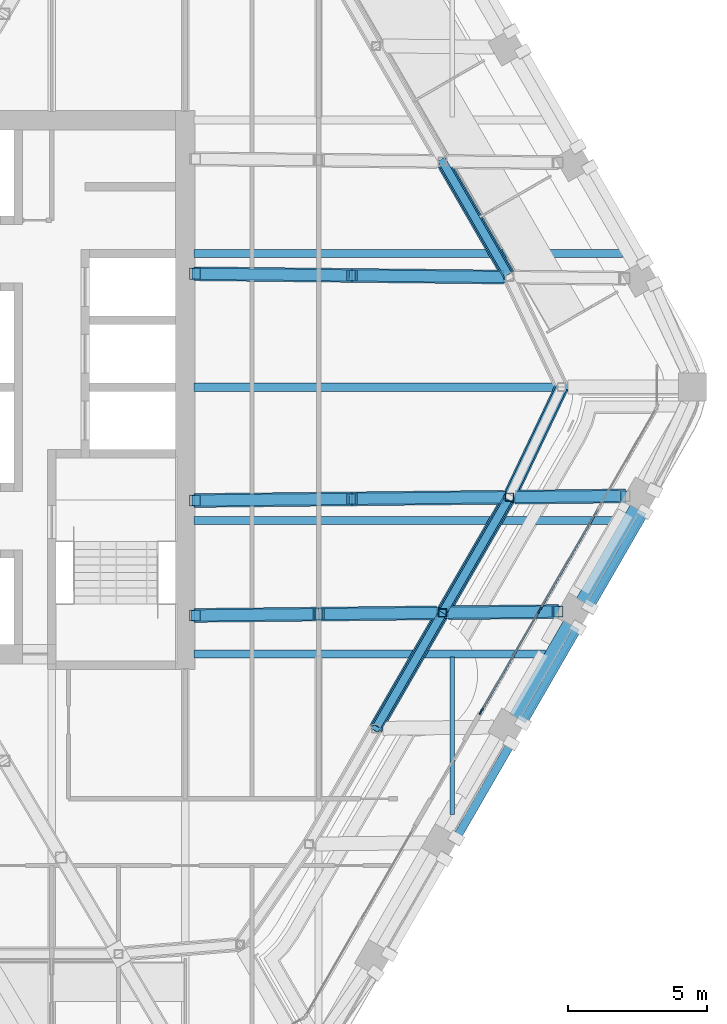
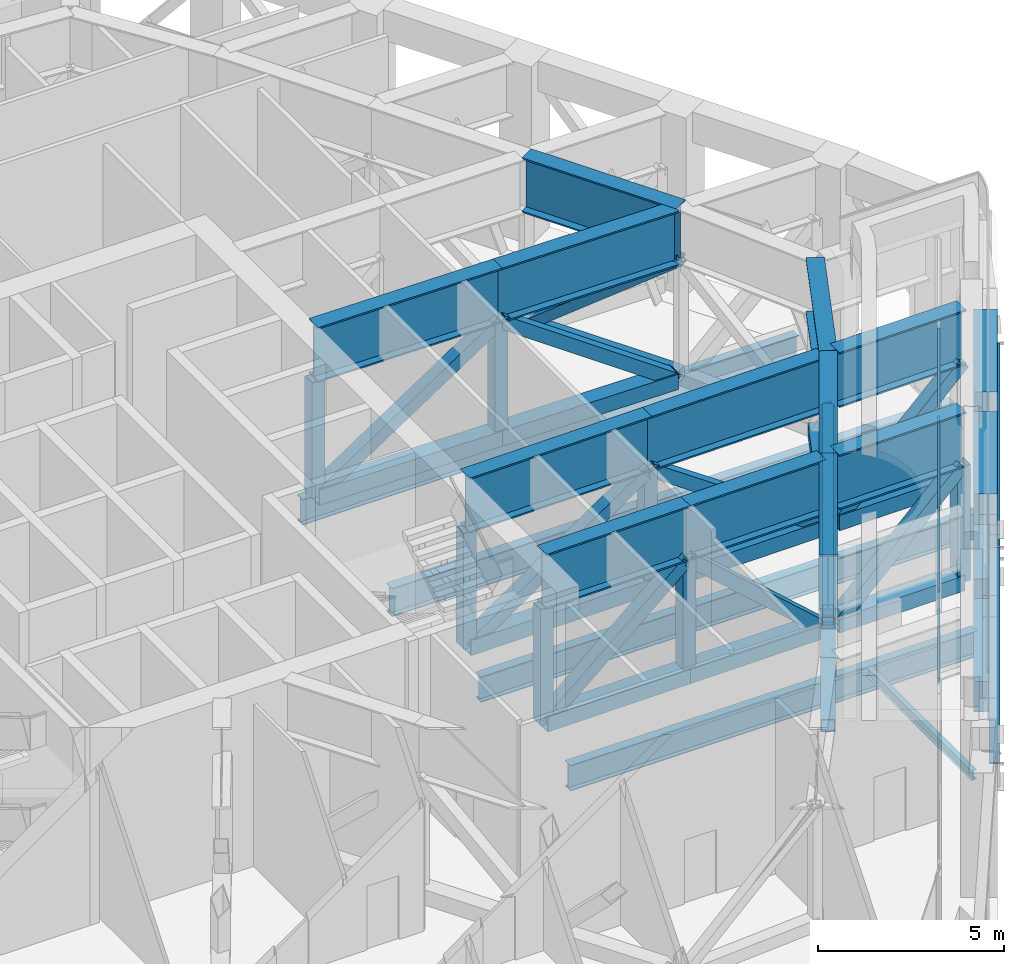
# One storey, part 6 of 24: 41 members, 21 beams, 1 element without a shape of its own.
"""IFC4 building model written with IfcOpenShell, lengths in metres."""

from ifc_helpers import new_model, si_unit, direction, frame, origin, origin_2d, place, context, subcontext, project, spatial, rectangle, hollow_rectangle, i_section, extrude, material, material_profile, profile_set, type_object, element, aggregate, save


model = new_model("IFC4")

# Units and contexts
model_context = context("Model", 3, precision=1e-05, world=origin(), true_north=direction((0.0, 1.0)))
body_context = subcontext(model_context, "Body", "Model", "MODEL_VIEW")
ifc_project = project(units=[si_unit("LENGTHUNIT", "METRE"), si_unit("AREAUNIT", "SQUARE_METRE"), si_unit("VOLUMEUNIT", "CUBIC_METRE"), si_unit("PLANEANGLEUNIT", "RADIAN"), si_unit("MASSUNIT", "GRAM", prefix="KILO")], contexts=[model_context])

# Site, building, storey
site_placement = place(None, origin())
site = spatial("IfcSite", under=ifc_project, at=site_placement, CompositionType="ELEMENT")
building_placement = place(site_placement, origin())
building = spatial("IfcBuilding", under=site, at=building_placement, Name="Kolab Exchange Tower", CompositionType="ELEMENT")
storey_placement = place(building_placement, frame((0.0, 0.0, 216.800048828125)))
storey = spatial("IfcBuildingStorey", under=building, at=storey_placement, Name="L47", CompositionType="ELEMENT", Elevation=216.800048828125)

# Members
ifc_material_1 = material(Name="Steel S355", Category="steel")
ifc_material_profile_1 = material_profile(ifc_material_1, hollow_rectangle(XDim=0.300048828125, YDim=0.300048828125, WallThickness=0.01611328125, at=origin_2d()), Name="HSS300X300X16")
ifc_profile_set_1 = profile_set([ifc_material_profile_1], Name="Steel S355")
member_type_1 = type_object("IfcMemberType", Name="BELT TRUSS BRACE HSS300X300X16", PredefinedType="BRACE", material=ifc_profile_set_1)
for number, where, z_axis, x_axis, name in (
    (1, (18.853515625, 8.11376953125, 0.25), (0.392038591319, -0.678999195849, 0.620697861244), (0.866015339567, 0.500017431331, 0.0), "mem/L47/ring/d-F2-04"),
    (2, (21.253662109375, -3.956787109375, 4.050048828125), (-0.392038591319, -0.678999195849, -0.620697861244), (0.866015339567, -0.500017431331, 0.0), "mem/L47/ring/d-F3-02"),
):
    element("IfcMember", number, at=place(storey_placement, frame(where, z_axis=z_axis, x_axis=x_axis)), inside=storey, type_object=member_type_1, Name=name, PredefinedType="BRACE", context=body_context, shape_type="SweptSolid", body=[
        extrude(hollow_rectangle(XDim=0.300048828125, YDim=0.300048828125, WallThickness=0.01611328125, at=origin_2d()), origin(), (0.0, 0.0, 1.0), 6.122314453125),
    ])
member_1_placement = place(storey_placement, frame((18.853515625, -8.11376953125, 0.25), z_axis=(-0.392004841722, -0.679009810783, 0.620707564741), x_axis=(0.866037363387, -0.499979284789, 0.0)))
element("IfcMember", 3, at=member_1_placement, inside=storey, type_object=member_type_1, Name="mem/L47/ring/d-F3-03", PredefinedType="BRACE", context=body_context, shape_type="SweptSolid", body=[
    extrude(hollow_rectangle(XDim=0.300048828125, YDim=0.300048828125, WallThickness=0.01611328125, at=origin_2d()), origin(), (0.0, 0.0, 1.0), 6.1220703125),
])
for number, where, z_axis, x_axis, name in (
    (4, (26.1171875, -4.49365234375, 4.699951171875), (-0.337470471595, -0.584582973076, -0.737818696152), (0.866050206543, -0.499957037901, 0.0), "mem/L47/fb/F3-02"),
    (5, (23.71728515625, -8.650634765625, 0.39990234375), (-0.337507590619, -0.584574708587, 0.737808265306), (0.866023334807, -0.500003583557, 0.0), "mem/L47/fb/F3-03"),
    (6, (21.3173828125, -12.8076171875, 4.699951171875), (-0.337507590619, -0.584574708587, -0.737808265306), (0.866023334807, -0.500003583557, 0.0), "mem/L47/fb/F3-04"),
):
    element("IfcMember", number, at=place(storey_placement, frame(where, z_axis=z_axis, x_axis=x_axis)), inside=storey, type_object=member_type_1, Name=name, PredefinedType="BRACE", context=body_context, shape_type="SweptSolid", body=[
        extrude(hollow_rectangle(XDim=0.300048828125, YDim=0.300048828125, WallThickness=0.01611328125, at=origin_2d()), origin(), (0.0, 0.0, 1.0), 5.828125),
    ])
ifc_material_profile_2 = material_profile(ifc_material_1, hollow_rectangle(XDim=0.39990234375, YDim=0.39990234375, WallThickness=0.02001953125, at=origin_2d()), Name="HSS400X400X20")
ifc_profile_set_2 = profile_set([ifc_material_profile_2], Name="Steel S355")
member_type_2 = type_object("IfcMemberType", Name="BELT TRUSS CHORD HSS400X400X20", PredefinedType="CHORD", material=ifc_profile_set_2)
member_2_placement = place(storey_placement, frame((18.853515625, 8.11376953125, 0.25), z_axis=(0.500017431331, -0.866015339567, 0.0), x_axis=(0.866015339567, 0.500017431331, 0.0)))
element("IfcMember", 7, at=member_2_placement, inside=storey, type_object=member_type_2, Name="mem/L47/ring/c-F2-04", PredefinedType="CHORD", context=body_context, shape_type="SweptSolid", body=[
    extrude(hollow_rectangle(XDim=0.39990234375, YDim=0.39990234375, WallThickness=0.02001953125, at=origin_2d()), origin(), (0.0, 0.0, 1.0), 4.800048828125),
])
member_3_placement = place(storey_placement, frame((23.135986328125, 0.0, 0.25), z_axis=(-0.429587498482, -0.903025238378, 0.0), x_axis=(0.903025238378, -0.429587498482, 0.0)))
element("IfcMember", 8, at=member_3_placement, inside=storey, type_object=member_type_2, Name="mem/L47/ring/c-F3-01", PredefinedType="CHORD", context=body_context, shape_type="SweptSolid", body=[
    extrude(hollow_rectangle(XDim=0.39990234375, YDim=0.39990234375, WallThickness=0.02001953125, at=origin_2d()), origin(), (0.0, 0.0, 1.0), 4.381591796875),
])
for number, where, z_axis, x_axis, name in (
    (9, (21.253662109375, -3.956787109375, 0.25), (-0.500017431331, -0.866015339567, 0.0), (0.866015339567, -0.500017431331, 0.0), "mem/L47/ring/c-F3-02"),
    (10, (18.853515625, -8.11376953125, 0.25), (-0.499979284789, -0.866037363387, 0.0), (0.866037363387, -0.499979284789, 0.0), "mem/L47/ring/c-F3-03"),
):
    element("IfcMember", number, at=place(storey_placement, frame(where, z_axis=z_axis, x_axis=x_axis)), inside=storey, type_object=member_type_2, Name=name, PredefinedType="CHORD", context=body_context, shape_type="SweptSolid", body=[
        extrude(hollow_rectangle(XDim=0.39990234375, YDim=0.39990234375, WallThickness=0.02001953125, at=origin_2d()), origin(), (0.0, 0.0, 1.0), 4.800048828125),
    ])

# Beams
ifc_material_profile_3 = material_profile(ifc_material_1, i_section(OverallWidth=0.5, OverallDepth=1.800048828125, WebThickness=0.031982421875, FlangeThickness=0.050048828125, at=origin_2d()), Name="PG1800X500")
ifc_profile_set_3 = profile_set([ifc_material_profile_3], Name="Steel S355")
beam_type_1 = type_object("IfcBeamType", Name="BELT TRUSS GIRDER PG1800X500", PredefinedType="BEAM", material=ifc_profile_set_3)
beam_1_placement = place(storey_placement, frame((18.853515625, 8.11376953125, 4.949951171875), z_axis=(0.500017431331, -0.866015339567, 0.0), x_axis=(0.866015339567, 0.500017431331, 0.0)))
element("IfcBeam", 11, at=beam_1_placement, inside=storey, type_object=beam_type_1, Name="beam/L47/bg/F2-run2", PredefinedType="BEAM", context=body_context, shape_type="SweptSolid", body=[
    extrude(i_section(OverallWidth=0.5, OverallDepth=1.800048828125, WebThickness=0.031982421875, FlangeThickness=0.050048828125, at=origin_2d()), origin(), (0.0, 0.0, 1.0), 4.800048828125),
])
beam_2_placement = place(storey_placement, frame((23.135986328125, 0.0, 4.949951171875), z_axis=(-0.429587498482, -0.903025238378, 0.0), x_axis=(0.903025238378, -0.429587498482, 0.0)))
element("IfcBeam", 12, at=beam_2_placement, inside=storey, type_object=beam_type_1, Name="beam/L47/bg/F3-in", PredefinedType="BEAM", context=body_context, shape_type="SweptSolid", body=[
    extrude(i_section(OverallWidth=0.5, OverallDepth=1.800048828125, WebThickness=0.031982421875, FlangeThickness=0.050048828125, at=origin_2d()), origin(), (0.0, 0.0, 1.0), 4.381591796875),
])
for number, where, z_axis, x_axis, name in (
    (13, (21.253662109375, -3.956787109375, 4.949951171875), (-0.500017431331, -0.866015339567, 0.0), (0.866015339567, -0.500017431331, 0.0), "beam/L47/bg/F3-run0"),
    (14, (18.853515625, -8.11376953125, 4.949951171875), (-0.499979284789, -0.866037363387, 0.0), (0.866037363387, -0.499979284789, 0.0), "beam/L47/bg/F3-run1"),
):
    element("IfcBeam", number, at=place(storey_placement, frame(where, z_axis=z_axis, x_axis=x_axis)), inside=storey, type_object=beam_type_1, Name=name, PredefinedType="BEAM", context=body_context, shape_type="SweptSolid", body=[
        extrude(i_section(OverallWidth=0.5, OverallDepth=1.800048828125, WebThickness=0.031982421875, FlangeThickness=0.050048828125, at=origin_2d()), origin(), (0.0, 0.0, 1.0), 4.800048828125),
    ])

# Members
ifc_material_profile_4 = material_profile(ifc_material_1, hollow_rectangle(XDim=0.300048828125, YDim=0.300048828125, WallThickness=0.01611328125, at=origin_2d()), Name="HSS300X300X16")
ifc_profile_set_4 = profile_set([ifc_material_profile_4], Name="Steel S355")
member_type_3 = type_object("IfcMemberType", Name="BELT TRUSS POST HSS300X300X16", PredefinedType="POST", material=ifc_profile_set_4)
for number, where, z_axis, x_axis, name in (
    (15, (21.253662109375, -3.956787109375, 0.25), (0.0, 0.0, 1.0), (1.0, 0.0, 0.0), "mem/L47/ring/p-F3-02"),
    (16, (18.853515625, -8.11376953125, 0.25), (0.0, 0.0, 1.0), (1.0, 0.0, 0.0), "mem/L47/ring/p-F3-03"),
):
    element("IfcMember", number, at=place(storey_placement, frame(where, z_axis=z_axis, x_axis=x_axis)), inside=storey, type_object=member_type_3, Name=name, PredefinedType="POST", context=body_context, shape_type="SweptSolid", body=[
        extrude(hollow_rectangle(XDim=0.300048828125, YDim=0.300048828125, WallThickness=0.01611328125, at=origin_2d()), origin(), (0.0, 0.0, 1.0), 3.800048828125),
    ])

# Beams
ifc_material_profile_5 = material_profile(ifc_material_1, i_section(OverallWidth=0.1650390625, OverallDepth=0.31005859375, WebThickness=0.005859375, FlangeThickness=0.009765625, at=origin_2d()), Name="W310X39")
ifc_profile_set_5 = profile_set([ifc_material_profile_5], Name="Steel S355")
beam_type_2 = type_object("IfcBeamType", Name="FLOOR BEAM W310X39", PredefinedType="BEAM", material=ifc_profile_set_5)
beam_3_placement = place(storey_placement, frame((19.199951171875, -15.36767578125, -0.455078125), z_axis=(0.0, 1.0, 0.0), x_axis=(-1.0, 0.0, 0.0)))
element("IfcBeam", 17, at=beam_3_placement, inside=storey, type_object=beam_type_2, Name="beam/L47/fr/022", PredefinedType="BEAM", context=body_context, shape_type="SweptSolid", body=[
    extrude(i_section(OverallWidth=0.1650390625, OverallDepth=0.31005859375, WebThickness=0.005859375, FlangeThickness=0.009765625, at=origin_2d()), origin(), (0.0, 0.0, 1.0), 5.66162109375),
])
ifc_material_profile_6 = material_profile(ifc_material_1, i_section(OverallWidth=0.2919921875, OverallDepth=0.840087890625, WebThickness=0.0146484375, FlangeThickness=0.021728515625, at=origin_2d()), Name="W840X193")
ifc_profile_set_6 = profile_set([ifc_material_profile_6], Name="Steel S355")
beam_type_3 = type_object("IfcBeamType", Name="FLOOR BEAM W840X193", PredefinedType="BEAM", material=ifc_profile_set_6)
for number, where, z_axis, x_axis, name in (
    (18, (9.909912109375, -4.800048828125, -0.719970703125), (1.0, 0.0, 0.0), (0.0, 1.0, 0.0), "beam/L47/fr/017"),
    (19, (9.909912109375, 4.800048828125, -0.719970703125), (1.0, 0.0, 0.0), (0.0, 1.0, 0.0), "beam/L47/fr/019"),
):
    element("IfcBeam", number, at=place(storey_placement, frame(where, z_axis=z_axis, x_axis=x_axis)), inside=storey, type_object=beam_type_3, Name=name, PredefinedType="BEAM", context=body_context, shape_type="SweptSolid", body=[
        extrude(i_section(OverallWidth=0.2919921875, OverallDepth=0.840087890625, WebThickness=0.0146484375, FlangeThickness=0.021728515625, at=origin_2d()), origin(), (0.0, 0.0, 1.0), 15.408203125),
    ])
ifc_material_profile_7 = material_profile(ifc_material_1, i_section(OverallWidth=0.30908203125, OverallDepth=0.93310546875, WebThickness=0.01806640625, FlangeThickness=0.027587890625, at=origin_2d()), Name="W920X238")
ifc_profile_set_7 = profile_set([ifc_material_profile_7], Name="Steel S355")
beam_type_4 = type_object("IfcBeamType", Name="FLOOR BEAM W920X238", PredefinedType="BEAM", material=ifc_profile_set_7)
beam_4_placement = place(storey_placement, frame((9.909912109375, 0.0, -0.7666015625), z_axis=(1.0, 0.0, 0.0), x_axis=(0.0, 1.0, 0.0)))
element("IfcBeam", 20, at=beam_4_placement, inside=storey, type_object=beam_type_4, Name="beam/L47/fr/018", PredefinedType="BEAM", context=body_context, shape_type="SweptSolid", body=[
    extrude(i_section(OverallWidth=0.30908203125, OverallDepth=0.93310546875, WebThickness=0.01806640625, FlangeThickness=0.027587890625, at=origin_2d()), origin(), (0.0, 0.0, 1.0), 17.466064453125),
])
ifc_material_profile_8 = material_profile(ifc_material_1, i_section(OverallWidth=0.2919921875, OverallDepth=0.840087890625, WebThickness=0.0146484375, FlangeThickness=0.021728515625, at=origin_2d()), Name="W840X193")
ifc_profile_set_8 = profile_set([ifc_material_profile_8], Name="Steel S355")
beam_type_5 = type_object("IfcBeamType", Name="FLOOR GIRDER W840X193", PredefinedType="BEAM", material=ifc_profile_set_8)
beam_5_placement = place(storey_placement, frame((9.909912109375, -9.60009765625, -0.719970703125), z_axis=(1.0, 0.0, 0.0), x_axis=(0.0, 1.0, 0.0)))
element("IfcBeam", 21, at=beam_5_placement, inside=storey, type_object=beam_type_5, Name="beam/L47/gd/002", PredefinedType="BEAM", context=body_context, shape_type="SweptSolid", body=[
    extrude(i_section(OverallWidth=0.2919921875, OverallDepth=0.840087890625, WebThickness=0.0146484375, FlangeThickness=0.021728515625, at=origin_2d()), origin(), (0.0, 0.0, 1.0), 12.636962890625),
])

# Members
ifc_material_profile_9 = material_profile(ifc_material_1, hollow_rectangle(XDim=0.39990234375, YDim=0.39990234375, WallThickness=0.02001953125, at=origin_2d()), Name="HSS400X400X20")
ifc_profile_set_9 = profile_set([ifc_material_profile_9], Name="Steel S355")
member_type_4 = type_object("IfcMemberType", Name="OUTRIGGER BRACE HSS400X400X20", PredefinedType="BRACE", material=ifc_profile_set_9)
member_4_placement = place(storey_placement, frame((9.949951171875, 4.076904296875, 0.25), z_axis=(0.829833198629, -0.008818097921, 0.557941846076), x_axis=(0.010625749983, 0.999943545125, 0.0)))
element("IfcMember", 22, at=member_4_placement, inside=storey, type_object=member_type_4, Name="mem/L47/out/03/d00", PredefinedType="BRACE", context=body_context, shape_type="SweptSolid", body=[
    extrude(hollow_rectangle(XDim=0.39990234375, YDim=0.39990234375, WallThickness=0.02001953125, at=origin_2d()), origin(), (0.0, 0.0, 1.0), 6.810791015625),
])
member_5_placement = place(storey_placement, frame((15.601806640625, 4.016845703125, 4.050048828125), z_axis=(0.819856890389, -0.008717186318, -0.572502130951), x_axis=(0.010631969696, 0.999943479013, 0.0)))
element("IfcMember", 23, at=member_5_placement, inside=storey, type_object=member_type_4, Name="mem/L47/out/03/d01", PredefinedType="BRACE", context=body_context, shape_type="SweptSolid", body=[
    extrude(hollow_rectangle(XDim=0.39990234375, YDim=0.39990234375, WallThickness=0.02001953125, at=origin_2d()), origin(), (0.0, 0.0, 1.0), 6.6376953125),
])
member_6_placement = place(storey_placement, frame((9.949951171875, -4.076904296875, 0.25), z_axis=(0.829833198629, 0.008818097921, 0.557941846076), x_axis=(-0.010625749983, 0.999943545125, 0.0)))
element("IfcMember", 24, at=member_6_placement, inside=storey, type_object=member_type_4, Name="mem/L47/out/04/d00", PredefinedType="BRACE", context=body_context, shape_type="SweptSolid", body=[
    extrude(hollow_rectangle(XDim=0.39990234375, YDim=0.39990234375, WallThickness=0.02001953125, at=origin_2d()), origin(), (0.0, 0.0, 1.0), 6.810791015625),
])
member_7_placement = place(storey_placement, frame((15.601806640625, -4.016845703125, 4.050048828125), z_axis=(0.819856890389, 0.008717186318, -0.572502130951), x_axis=(-0.010631969696, 0.999943479013, 0.0)))
element("IfcMember", 25, at=member_7_placement, inside=storey, type_object=member_type_4, Name="mem/L47/out/04/d01", PredefinedType="BRACE", context=body_context, shape_type="SweptSolid", body=[
    extrude(hollow_rectangle(XDim=0.39990234375, YDim=0.39990234375, WallThickness=0.02001953125, at=origin_2d()), origin(), (0.0, 0.0, 1.0), 6.6376953125),
])
member_8_placement = place(storey_placement, frame((21.463623046875, -3.95458984375, 0.25), z_axis=(0.718195745705, 0.007599481935, 0.695799625414), x_axis=(-0.010580759602, 0.999944022196, 0.0)))
element("IfcMember", 26, at=member_8_placement, inside=storey, type_object=member_type_4, Name="mem/L47/out/04/d02", PredefinedType="BRACE", context=body_context, shape_type="SweptSolid", body=[
    extrude(hollow_rectangle(XDim=0.39990234375, YDim=0.39990234375, WallThickness=0.02001953125, at=origin_2d()), origin(), (0.0, 0.0, 1.0), 5.46142578125),
])
member_9_placement = place(storey_placement, frame((9.949951171875, -8.208251953125, 0.25), z_axis=(0.760569999289, 0.008049904572, 0.64920603449), x_axis=(-0.010583448905, 0.999943993736, 0.0)))
element("IfcMember", 27, at=member_9_placement, inside=storey, type_object=member_type_4, Name="mem/L47/out/05/d00", PredefinedType="BRACE", context=body_context, shape_type="SweptSolid", body=[
    extrude(hollow_rectangle(XDim=0.39990234375, YDim=0.39990234375, WallThickness=0.02001953125, at=origin_2d()), origin(), (0.0, 0.0, 1.0), 5.853271484375),
])
member_10_placement = place(storey_placement, frame((14.40185546875, -8.1611328125, 4.050048828125), z_axis=(0.744795297784, 0.007887782594, -0.667246391736), x_axis=(-0.01058994372, 0.999943924974, 0.0)))
element("IfcMember", 28, at=member_10_placement, inside=storey, type_object=member_type_4, Name="mem/L47/out/05/d01", PredefinedType="BRACE", context=body_context, shape_type="SweptSolid", body=[
    extrude(hollow_rectangle(XDim=0.39990234375, YDim=0.39990234375, WallThickness=0.02001953125, at=origin_2d()), origin(), (0.0, 0.0, 1.0), 5.695068359375),
])
member_11_placement = place(storey_placement, frame((19.063720703125, -8.111572265625, 0.25), z_axis=(0.718195745705, 0.007599481935, 0.695799625414), x_axis=(-0.010580759602, 0.999944022196, 0.0)))
element("IfcMember", 29, at=member_11_placement, inside=storey, type_object=member_type_4, Name="mem/L47/out/05/d02", PredefinedType="BRACE", context=body_context, shape_type="SweptSolid", body=[
    extrude(hollow_rectangle(XDim=0.39990234375, YDim=0.39990234375, WallThickness=0.02001953125, at=origin_2d()), origin(), (0.0, 0.0, 1.0), 5.46142578125),
])
ifc_material_profile_10 = material_profile(ifc_material_1, hollow_rectangle(XDim=0.5, YDim=0.5, WallThickness=0.02490234375, at=origin_2d()), Name="HSS500X500X25")
ifc_profile_set_10 = profile_set([ifc_material_profile_10], Name="Steel S355")
member_type_5 = type_object("IfcMemberType", Name="OUTRIGGER CHORD HSS500X500X25", PredefinedType="CHORD", material=ifc_profile_set_10)
member_12_placement = place(storey_placement, frame((9.949951171875, 4.076904296875, 0.25), z_axis=(0.999943545125, -0.010625749983, 0.0), x_axis=(0.010625749983, 0.999943545125, 0.0)))
element("IfcMember", 30, at=member_12_placement, inside=storey, type_object=member_type_5, Name="mem/L47/out/03/c00", PredefinedType="CHORD", context=body_context, shape_type="SweptSolid", body=[
    extrude(hollow_rectangle(XDim=0.5, YDim=0.5, WallThickness=0.02490234375, at=origin_2d()), origin(), (0.0, 0.0, 1.0), 5.652099609375),
])
member_13_placement = place(storey_placement, frame((15.601806640625, 4.016845703125, 0.25), z_axis=(0.999943479013, -0.010631969696, 0.0), x_axis=(0.010631969696, 0.999943479013, 0.0)))
element("IfcMember", 31, at=member_13_placement, inside=storey, type_object=member_type_5, Name="mem/L47/out/03/c01", PredefinedType="CHORD", context=body_context, shape_type="SweptSolid", body=[
    extrude(hollow_rectangle(XDim=0.5, YDim=0.5, WallThickness=0.02490234375, at=origin_2d()), origin(), (0.0, 0.0, 1.0), 5.442138671875),
])
member_14_placement = place(storey_placement, frame((9.949951171875, -4.076904296875, 0.25), z_axis=(0.999943545125, 0.010625749983, 0.0), x_axis=(-0.010625749983, 0.999943545125, 0.0)))
element("IfcMember", 32, at=member_14_placement, inside=storey, type_object=member_type_5, Name="mem/L47/out/04/c00", PredefinedType="CHORD", context=body_context, shape_type="SweptSolid", body=[
    extrude(hollow_rectangle(XDim=0.5, YDim=0.5, WallThickness=0.02490234375, at=origin_2d()), origin(), (0.0, 0.0, 1.0), 5.652099609375),
])
member_15_placement = place(storey_placement, frame((15.601806640625, -4.016845703125, 0.25), z_axis=(0.999943479013, 0.010631969696, 0.0), x_axis=(-0.010631969696, 0.999943479013, 0.0)))
element("IfcMember", 33, at=member_15_placement, inside=storey, type_object=member_type_5, Name="mem/L47/out/04/c01", PredefinedType="CHORD", context=body_context, shape_type="SweptSolid", body=[
    extrude(hollow_rectangle(XDim=0.5, YDim=0.5, WallThickness=0.02490234375, at=origin_2d()), origin(), (0.0, 0.0, 1.0), 5.442138671875),
])
member_16_placement = place(storey_placement, frame((21.463623046875, -3.95458984375, 0.25), z_axis=(0.999944022196, 0.010580759602, 0.0), x_axis=(-0.010580759602, 0.999944022196, 0.0)))
element("IfcMember", 34, at=member_16_placement, inside=storey, type_object=member_type_5, Name="mem/L47/out/04/c02", PredefinedType="CHORD", context=body_context, shape_type="SweptSolid", body=[
    extrude(hollow_rectangle(XDim=0.5, YDim=0.5, WallThickness=0.02490234375, at=origin_2d()), origin(), (0.0, 0.0, 1.0), 3.922607421875),
])
member_17_placement = place(storey_placement, frame((9.949951171875, -8.208251953125, 0.25), z_axis=(0.999943993736, 0.010583448905, 0.0), x_axis=(-0.010583448905, 0.999943993736, 0.0)))
element("IfcMember", 35, at=member_17_placement, inside=storey, type_object=member_type_5, Name="mem/L47/out/05/c00", PredefinedType="CHORD", context=body_context, shape_type="SweptSolid", body=[
    extrude(hollow_rectangle(XDim=0.5, YDim=0.5, WallThickness=0.02490234375, at=origin_2d()), origin(), (0.0, 0.0, 1.0), 4.4521484375),
])
member_18_placement = place(storey_placement, frame((14.40185546875, -8.1611328125, 0.25), z_axis=(0.999943924974, 0.01058994372, 0.0), x_axis=(-0.01058994372, 0.999943924974, 0.0)))
element("IfcMember", 36, at=member_18_placement, inside=storey, type_object=member_type_5, Name="mem/L47/out/05/c01", PredefinedType="CHORD", context=body_context, shape_type="SweptSolid", body=[
    extrude(hollow_rectangle(XDim=0.5, YDim=0.5, WallThickness=0.02490234375, at=origin_2d()), origin(), (0.0, 0.0, 1.0), 4.241943359375),
])
member_19_placement = place(storey_placement, frame((19.063720703125, -8.111572265625, 0.25), z_axis=(0.999944022196, 0.010580759602, 0.0), x_axis=(-0.010580759602, 0.999944022196, 0.0)))
element("IfcMember", 37, at=member_19_placement, inside=storey, type_object=member_type_5, Name="mem/L47/out/05/c02", PredefinedType="CHORD", context=body_context, shape_type="SweptSolid", body=[
    extrude(hollow_rectangle(XDim=0.5, YDim=0.5, WallThickness=0.02490234375, at=origin_2d()), origin(), (0.0, 0.0, 1.0), 3.922607421875),
])

# Beams
ifc_material_profile_11 = material_profile(ifc_material_1, i_section(OverallWidth=0.5, OverallDepth=1.800048828125, WebThickness=0.031982421875, FlangeThickness=0.050048828125, at=origin_2d()), Name="PG1800X500")
ifc_profile_set_11 = profile_set([ifc_material_profile_11], Name="Steel S355")
beam_type_6 = type_object("IfcBeamType", Name="OUTRIGGER GIRDER PG1800X500", PredefinedType="BEAM", material=ifc_profile_set_11)
beam_6_placement = place(storey_placement, frame((9.909912109375, 4.077392578125, 4.949951171875), z_axis=(0.999943427818, -0.010636783482, 0.0), x_axis=(0.010636783482, 0.999943427818, 0.0)))
element("IfcBeam", 38, at=beam_6_placement, inside=storey, type_object=beam_type_6, Name="beam/L47/og/03-00", PredefinedType="BEAM", context=body_context, shape_type="SweptSolid", body=[
    extrude(i_section(OverallWidth=0.5, OverallDepth=1.800048828125, WebThickness=0.031982421875, FlangeThickness=0.050048828125, at=origin_2d()), origin(), (0.0, 0.0, 1.0), 5.692138671875),
])
beam_7_placement = place(storey_placement, frame((15.601806640625, 4.016845703125, 4.949951171875), z_axis=(0.999943479013, -0.010631969696, 0.0), x_axis=(0.010631969696, 0.999943479013, 0.0)))
element("IfcBeam", 39, at=beam_7_placement, inside=storey, type_object=beam_type_6, Name="beam/L47/og/03-01", PredefinedType="BEAM", context=body_context, shape_type="SweptSolid", body=[
    extrude(i_section(OverallWidth=0.5, OverallDepth=1.800048828125, WebThickness=0.031982421875, FlangeThickness=0.050048828125, at=origin_2d()), origin(), (0.0, 0.0, 1.0), 5.442138671875),
])
beam_8_placement = place(storey_placement, frame((9.909912109375, -4.077392578125, 4.949951171875), z_axis=(0.999943427818, 0.010636783482, 0.0), x_axis=(-0.010636783482, 0.999943427818, 0.0)))
element("IfcBeam", 40, at=beam_8_placement, inside=storey, type_object=beam_type_6, Name="beam/L47/og/04-00", PredefinedType="BEAM", context=body_context, shape_type="SweptSolid", body=[
    extrude(i_section(OverallWidth=0.5, OverallDepth=1.800048828125, WebThickness=0.031982421875, FlangeThickness=0.050048828125, at=origin_2d()), origin(), (0.0, 0.0, 1.0), 5.692138671875),
])
beam_9_placement = place(storey_placement, frame((15.601806640625, -4.016845703125, 4.949951171875), z_axis=(0.999943479013, 0.010631969696, 0.0), x_axis=(-0.010631969696, 0.999943479013, 0.0)))
element("IfcBeam", 41, at=beam_9_placement, inside=storey, type_object=beam_type_6, Name="beam/L47/og/04-01", PredefinedType="BEAM", context=body_context, shape_type="SweptSolid", body=[
    extrude(i_section(OverallWidth=0.5, OverallDepth=1.800048828125, WebThickness=0.031982421875, FlangeThickness=0.050048828125, at=origin_2d()), origin(), (0.0, 0.0, 1.0), 5.442138671875),
])
beam_10_placement = place(storey_placement, frame((21.463623046875, -3.95458984375, 4.949951171875), z_axis=(0.999943849545, 0.010597063593, 0.0), x_axis=(-0.010597063593, 0.999943849545, 0.0)))
element("IfcBeam", 42, at=beam_10_placement, inside=storey, type_object=beam_type_6, Name="beam/L47/og/04-02", PredefinedType="BEAM", context=body_context, shape_type="SweptSolid", body=[
    extrude(i_section(OverallWidth=0.5, OverallDepth=1.800048828125, WebThickness=0.031982421875, FlangeThickness=0.050048828125, at=origin_2d()), origin(), (0.0, 0.0, 1.0), 3.962646484375),
])
beam_11_placement = place(storey_placement, frame((9.909912109375, -8.208740234375, 4.949951171875), z_axis=(0.999943841668, 0.010597806898, 0.0), x_axis=(-0.010597806898, 0.999943841668, 0.0)))
element("IfcBeam", 43, at=beam_11_placement, inside=storey, type_object=beam_type_6, Name="beam/L47/og/05-00", PredefinedType="BEAM", context=body_context, shape_type="SweptSolid", body=[
    extrude(i_section(OverallWidth=0.5, OverallDepth=1.800048828125, WebThickness=0.031982421875, FlangeThickness=0.050048828125, at=origin_2d()), origin(), (0.0, 0.0, 1.0), 4.4921875),
])
beam_12_placement = place(storey_placement, frame((14.40185546875, -8.1611328125, 4.949951171875), z_axis=(0.999943924974, 0.01058994372, 0.0), x_axis=(-0.01058994372, 0.999943924974, 0.0)))
element("IfcBeam", 44, at=beam_12_placement, inside=storey, type_object=beam_type_6, Name="beam/L47/og/05-01", PredefinedType="BEAM", context=body_context, shape_type="SweptSolid", body=[
    extrude(i_section(OverallWidth=0.5, OverallDepth=1.800048828125, WebThickness=0.031982421875, FlangeThickness=0.050048828125, at=origin_2d()), origin(), (0.0, 0.0, 1.0), 4.241943359375),
])
beam_13_placement = place(storey_placement, frame((19.063720703125, -8.111572265625, 4.949951171875), z_axis=(0.999943849545, 0.010597063593, 0.0), x_axis=(-0.010597063593, 0.999943849545, 0.0)))
element("IfcBeam", 45, at=beam_13_placement, inside=storey, type_object=beam_type_6, Name="beam/L47/og/05-02", PredefinedType="BEAM", context=body_context, shape_type="SweptSolid", body=[
    extrude(i_section(OverallWidth=0.5, OverallDepth=1.800048828125, WebThickness=0.031982421875, FlangeThickness=0.050048828125, at=origin_2d()), origin(), (0.0, 0.0, 1.0), 3.962646484375),
])

# Members
ifc_material_profile_12 = material_profile(ifc_material_1, hollow_rectangle(XDim=0.39990234375, YDim=0.39990234375, WallThickness=0.02001953125, at=origin_2d()), Name="HSS400X400X20")
ifc_profile_set_12 = profile_set([ifc_material_profile_12], Name="Steel S355")
member_type_6 = type_object("IfcMemberType", Name="OUTRIGGER POST HSS400X400X20", PredefinedType="POST", material=ifc_profile_set_12)
for number, where, z_axis, x_axis, name in (
    (46, (9.949951171875, 4.076904296875, 0.25), (0.0, 0.0, 1.0), (1.0, 0.0, 0.0), "mem/L47/out/03/p00"),
    (47, (15.601806640625, 4.016845703125, 0.25), (0.0, 0.0, 1.0), (1.0, 0.0, 0.0), "mem/L47/out/03/p01"),
    (48, (9.949951171875, -4.076904296875, 0.25), (0.0, 0.0, 1.0), (1.0, 0.0, 0.0), "mem/L47/out/04/p00"),
    (49, (15.601806640625, -4.016845703125, 0.25), (0.0, 0.0, 1.0), (1.0, 0.0, 0.0), "mem/L47/out/04/p01"),
    (50, (9.949951171875, -8.208251953125, 0.25), (0.0, 0.0, 1.0), (1.0, 0.0, 0.0), "mem/L47/out/05/p00"),
    (51, (14.40185546875, -8.1611328125, 0.25), (0.0, 0.0, 1.0), (1.0, 0.0, 0.0), "mem/L47/out/05/p01"),
    (52, (22.986083984375, -8.070068359375, 0.25), (0.0, 0.0, 1.0), (1.0, 0.0, 0.0), "mem/L47/out/05/p03"),
):
    element("IfcMember", number, at=place(storey_placement, frame(where, z_axis=z_axis, x_axis=x_axis)), inside=storey, type_object=member_type_6, Name=name, PredefinedType="POST", context=body_context, shape_type="SweptSolid", body=[
        extrude(hollow_rectangle(XDim=0.39990234375, YDim=0.39990234375, WallThickness=0.02001953125, at=origin_2d()), origin(), (0.0, 0.0, 1.0), 3.800048828125),
    ])

# Beams
ifc_material_2 = material(Name="Concrete C60/75", Category="concrete")
ifc_material_profile_13 = material_profile(ifc_material_2, rectangle(XDim=0.64990234375, YDim=1.0, at=origin_2d()), Name="RC650X1000")
ifc_profile_set_13 = profile_set([ifc_material_profile_13], Name="Concrete C60/75")
beam_type_7 = type_object("IfcBeamType", Name="SPANDREL BEAM 650X1000 C60/75", PredefinedType="BEAM", material=ifc_profile_set_13)
for number, where, z_axis, x_axis, name in (
    (53, (25.888427734375, -4.392822265625, -0.800048828125), (-0.499996613652, -0.866027358884, 0.0), (0.866027358884, -0.499996613652, 0.0), "beam/L47/sp/F3-02"),
    (54, (23.488525390625, -8.5498046875, -0.800048828125), (-0.499996613652, -0.866027358884, 0.0), (0.866027358884, -0.499996613652, 0.0), "beam/L47/sp/F3-03"),
    (55, (25.888427734375, -4.392822265625, 5.349853515625), (-0.499996613652, -0.866027358884, 0.0), (0.866027358884, -0.499996613652, 0.0), "beam/L47/cp/F3-02"),
    (56, (23.488525390625, -8.5498046875, 5.349853515625), (-0.499996613652, -0.866027358884, 0.0), (0.866027358884, -0.499996613652, 0.0), "beam/L47/cp/F3-03"),
):
    element("IfcBeam", number, at=place(storey_placement, frame(where, z_axis=z_axis, x_axis=x_axis)), inside=storey, type_object=beam_type_7, Name=name, PredefinedType="BEAM", context=body_context, shape_type="SweptSolid", body=[
        extrude(rectangle(XDim=0.64990234375, YDim=1.0, at=origin_2d()), origin(), (0.0, 0.0, 1.0), 3.8798828125),
    ])

# Curtain wall, members
ifc_material_3 = material(Name="Aluminium EN AW-6063 T6", Category="aluminium")
curtain_wall_type = type_object("IfcCurtainWallType", Name="UNITISED UPPER MID ZONE DOUBLE HEIGHT BELT CURTAIN WALL", PredefinedType="NOTDEFINED", material=ifc_material_3)
curtain_wall_placement = place(storey_placement, origin())
curtain_wall = element("IfcCurtainWall", 57, at=curtain_wall_placement, inside=storey, type_object=curtain_wall_type, Name="cw/L47/F3-1", PredefinedType="NOTDEFINED")
ifc_material_profile_14 = material_profile(ifc_material_3, rectangle(XDim=0.06005859375, YDim=0.260009765625, at=origin_2d()), Name="RECT 60X260")
ifc_profile_set_14 = profile_set([ifc_material_profile_14], Name="Aluminium EN AW-6063 T6")
member_type_7 = type_object("IfcMemberType", Name="UNITISED UPPER MID ZONE DOUBLE HEIGHT BELT MULLION 60 X 260", PredefinedType="MULLION", material=ifc_profile_set_14)
member_20_placement = place(storey_placement, frame((22.343017578125, -8.02392578125, 0.0), z_axis=(0.0, 0.0, 1.0), x_axis=(0.866025427826, -0.499999958358, 0.0)))
member_20 = element("IfcMember", 58, at=member_20_placement, type_object=member_type_7, Name="CW11 mullion 3", PredefinedType="MULLION", context=body_context, shape_type="SweptSolid", body=[
    extrude(rectangle(XDim=0.06005859375, YDim=0.260009765625, at=origin_2d()), origin(), (0.0, 0.0, 1.0), 5.699951171875),
])
member_21_placement = place(storey_placement, frame((20.24658203125, -11.65478515625, 0.0), z_axis=(0.0, 0.0, 1.0), x_axis=(0.866025427826, -0.499999958358, 0.0)))
member_21 = element("IfcMember", 59, at=member_21_placement, type_object=member_type_7, Name="CW11 mullion 4", PredefinedType="MULLION", context=body_context, shape_type="SweptSolid", body=[
    extrude(rectangle(XDim=0.06005859375, YDim=0.260009765625, at=origin_2d()), origin(), (0.0, 0.0, 1.0), 5.699951171875),
])
ifc_material_profile_15 = material_profile(ifc_material_3, rectangle(XDim=0.06005859375, YDim=0.139892578125, at=origin_2d()), Name="RECT 60X140")
ifc_profile_set_15 = profile_set([ifc_material_profile_15], Name="Aluminium EN AW-6063 T6")
member_type_8 = type_object("IfcMemberType", Name="UNITISED UPPER MID ZONE DOUBLE HEIGHT BELT TRANSOM 60 X 140", PredefinedType="USERDEFINED", material=ifc_profile_set_15)
member_22_placement = place(storey_placement, frame((24.439208984375, -4.392822265625, 0.030029296875), z_axis=(-0.49999322259, -0.866029316688, 0.0), x_axis=(0.866029316688, -0.49999322259, 0.0)))
member_22 = element("IfcMember", 60, at=member_22_placement, type_object=member_type_8, Name="CW11 transom 2.1", ObjectType="TRANSOM", PredefinedType="USERDEFINED", context=body_context, shape_type="SweptSolid", body=[
    extrude(rectangle(XDim=0.06005859375, YDim=0.139892578125, at=origin_2d()), origin(), (0.0, 0.0, 1.0), 4.16259765625),
])
member_23_placement = place(storey_placement, frame((24.439208984375, -4.392822265625, 5.669921875), z_axis=(-0.49999322259, -0.866029316688, 0.0), x_axis=(0.866029316688, -0.49999322259, 0.0)))
member_23 = element("IfcMember", 61, at=member_23_placement, type_object=member_type_8, Name="CW11 transom 2.2", ObjectType="TRANSOM", PredefinedType="USERDEFINED", context=body_context, shape_type="SweptSolid", body=[
    extrude(rectangle(XDim=0.06005859375, YDim=0.139892578125, at=origin_2d()), origin(), (0.0, 0.0, 1.0), 4.16259765625),
])
member_24_placement = place(storey_placement, frame((22.328125, -8.0498046875, 0.030029296875), z_axis=(-0.500001996123, -0.866024251319, 0.0), x_axis=(0.866024251319, -0.500001996123, 0.0)))
member_24 = element("IfcMember", 62, at=member_24_placement, type_object=member_type_8, Name="CW11 transom 3.1", ObjectType="TRANSOM", PredefinedType="USERDEFINED", context=body_context, shape_type="SweptSolid", body=[
    extrude(rectangle(XDim=0.06005859375, YDim=0.139892578125, at=origin_2d()), origin(), (0.0, 0.0, 1.0), 4.1328125),
])
member_25_placement = place(storey_placement, frame((22.328125, -8.0498046875, 5.669921875), z_axis=(-0.500001996123, -0.866024251319, 0.0), x_axis=(0.866024251319, -0.500001996123, 0.0)))
member_25 = element("IfcMember", 63, at=member_25_placement, type_object=member_type_8, Name="CW11 transom 3.2", ObjectType="TRANSOM", PredefinedType="USERDEFINED", context=body_context, shape_type="SweptSolid", body=[
    extrude(rectangle(XDim=0.06005859375, YDim=0.139892578125, at=origin_2d()), origin(), (0.0, 0.0, 1.0), 4.1328125),
])
aggregate(curtain_wall, [member_20, member_21, member_22, member_23, member_24, member_25])

save(model, "model.ifc")
